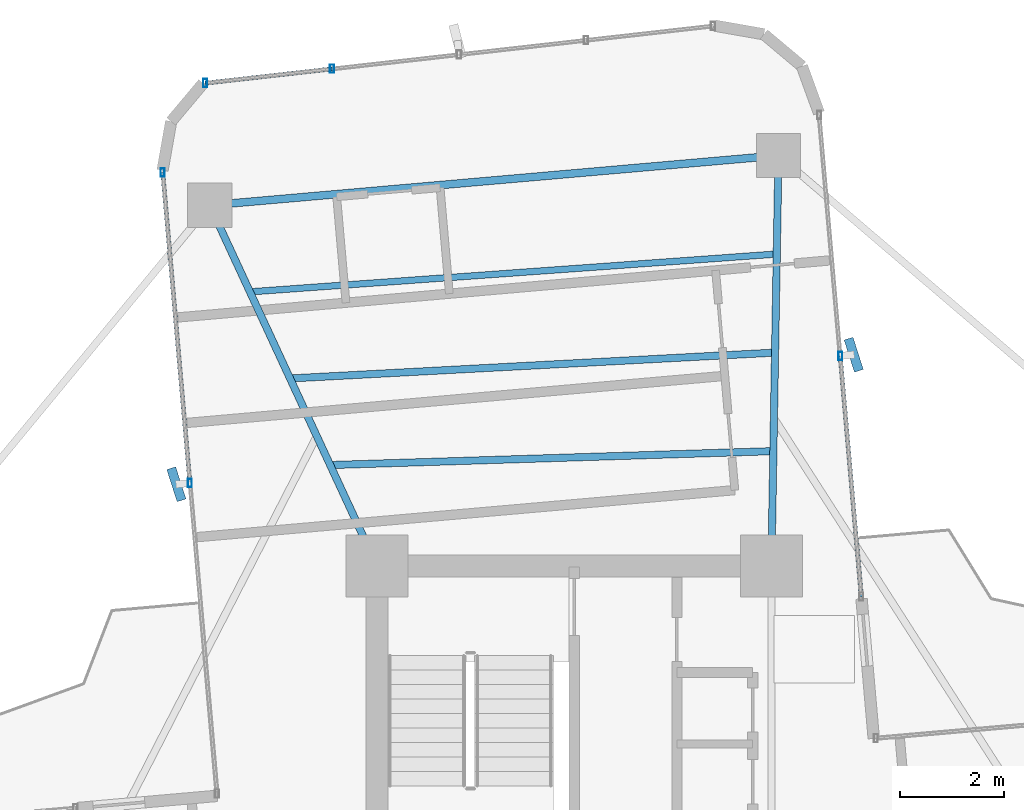
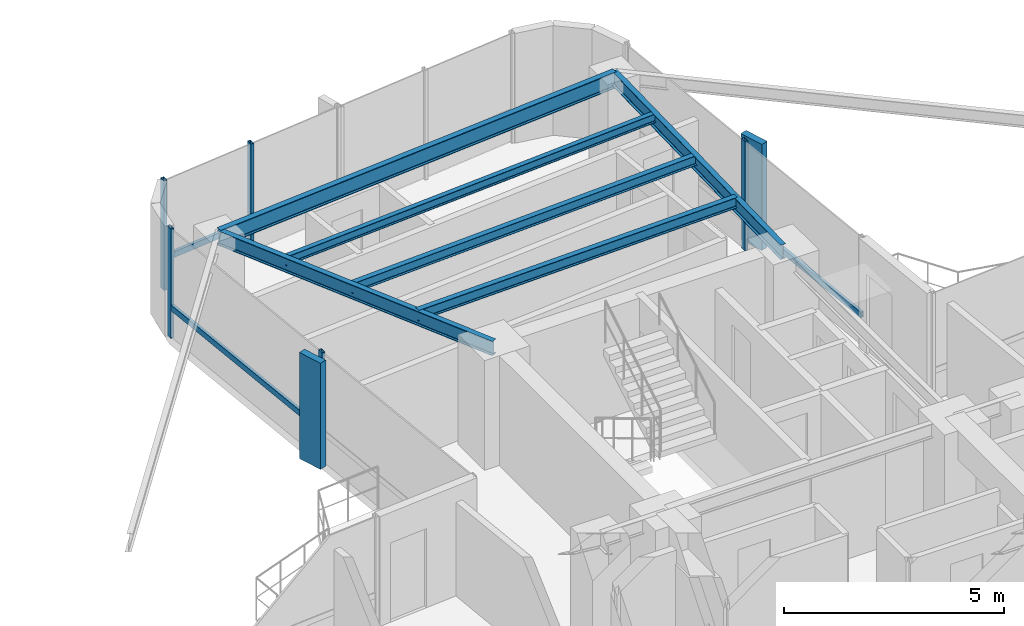
# One storey, part 16 of 24: 10 members, 6 beams, 3 elements without a shape of their own.
"""IFC4 building model written with IfcOpenShell, lengths in metres."""

from ifc_helpers import new_model, si_unit, direction, frame, origin, origin_2d, place, context, subcontext, project, spatial, rectangle, hollow_rectangle, i_section, extrude, source, transform, mapped, material, material_profile, profile_set, type_object, element, aggregate, save


model = new_model("IFC4")

# Units and contexts
model_context = context("Model", 3, precision=1e-05, world=origin(), true_north=direction((0.0, 1.0)))
body_context = subcontext(model_context, "Body", "Model", "MODEL_VIEW")
ifc_project = project(units=[si_unit("LENGTHUNIT", "METRE"), si_unit("AREAUNIT", "SQUARE_METRE"), si_unit("VOLUMEUNIT", "CUBIC_METRE"), si_unit("PLANEANGLEUNIT", "RADIAN"), si_unit("MASSUNIT", "GRAM", prefix="KILO")], contexts=[model_context])

# Site, building, storey
site_placement = place(None, origin())
site = spatial("IfcSite", under=ifc_project, at=site_placement, CompositionType="ELEMENT")
building_placement = place(site_placement, origin())
building = spatial("IfcBuilding", under=site, at=building_placement, Name="Sahyath Konkavel Grand Hotel", CompositionType="ELEMENT")
storey_placement = place(building_placement, frame((0.0, 0.0, 167.35009765625)))
storey = spatial("IfcBuildingStorey", under=building, at=storey_placement, Name="L46", CompositionType="ELEMENT", Elevation=167.35009765625)

# Beams
ifc_material_1 = material(Name="Steel E350", Category="steel")
ifc_material_profile_1 = material_profile(ifc_material_1, i_section(OverallWidth=0.139892578125, OverallDepth=0.39990234375, WebThickness=0.0087890625, FlangeThickness=0.01611328125, FilletRadius=0.013916015625, at=origin_2d()), Name="ISMB 400")
ifc_profile_set_1 = profile_set([ifc_material_profile_1], Name="Steel E350")
beam_type_1 = type_object("IfcBeamType", Name="BM-ISMB400", PredefinedType="BEAM", material=ifc_profile_set_1)
shared_shape_1 = source(origin(), body_context, "Body", "SweptSolid", [
    extrude(i_section(OverallWidth=0.139892578125, OverallDepth=0.39990234375, WebThickness=0.0087890625, FlangeThickness=0.01611328125, FilletRadius=0.013916015625, at=origin_2d()), origin(), (0.0, 0.0, 1.0), 7.913330078125),
])
beam_1_placement = place(storey_placement, frame((3.800048828125, 10.199951171875, 2.849853515625), z_axis=(0.017215419232, 0.999851803689, 0.0), x_axis=(-0.999851803689, 0.017215419232, 0.0)))
element("IfcBeam", 1, at=beam_1_placement, inside=storey, type_object=beam_type_1, Name="L46 Cruciform Radial Girder NA", PredefinedType="BEAM", context=body_context, shape_type="MappedRepresentation", body=[
    mapped(shared_shape_1, transform((0.0, 0.0, 0.0), scale=1.0)),
])
shared_shape_2 = source(origin(), body_context, "Body", "SweptSolid", [
    extrude(i_section(OverallWidth=0.139892578125, OverallDepth=0.39990234375, WebThickness=0.0087890625, FlangeThickness=0.01611328125, FilletRadius=0.013916015625, at=origin_2d()), origin(), (0.0, 0.0, 1.0), 7.66357421875),
])
beam_2_placement = place(storey_placement, frame((-3.800048828125, 10.199951171875, 2.849853515625), z_axis=(-0.420395127561, 0.907341135804, 0.0), x_axis=(-0.907341135804, -0.420395127561, 0.0)))
element("IfcBeam", 2, at=beam_2_placement, inside=storey, type_object=beam_type_1, Name="L46 Cruciform Radial Girder NB", PredefinedType="BEAM", context=body_context, shape_type="MappedRepresentation", body=[
    mapped(shared_shape_2, transform((0.0, 0.0, 0.0), scale=1.0)),
])
ifc_material_profile_2 = material_profile(ifc_material_1, i_section(OverallWidth=0.14990234375, OverallDepth=0.449951171875, WebThickness=0.009521484375, FlangeThickness=0.017333984375, FilletRadius=0.014892578125, at=origin_2d()), Name="ISMB 450")
ifc_profile_set_2 = profile_set([ifc_material_profile_2], Name="Steel E350")
beam_type_2 = type_object("IfcBeamType", Name="BM-ISMB450", PredefinedType="BEAM", material=ifc_profile_set_2)
shared_shape_3 = source(origin(), body_context, "Body", "SweptSolid", [
    extrude(i_section(OverallWidth=0.14990234375, OverallDepth=0.449951171875, WebThickness=0.009521484375, FlangeThickness=0.017333984375, FilletRadius=0.014892578125, at=origin_2d()), origin(), (0.0, 0.0, 1.0), 10.999755859375),
])
beam_3_placement = place(storey_placement, frame((3.936279296875, 18.112060546875, 2.824951171875), z_axis=(-0.99619439202, -0.087159241098, 0.0), x_axis=(0.087159241098, -0.99619439202, 0.0)))
element("IfcBeam", 3, at=beam_3_placement, inside=storey, type_object=beam_type_2, Name="L46 Wing Tip Edge Beam N", PredefinedType="BEAM", context=body_context, shape_type="MappedRepresentation", body=[
    mapped(shared_shape_3, transform((0.0, 0.0, 0.0), scale=1.0)),
])
ifc_material_profile_3 = material_profile(ifc_material_1, i_section(OverallWidth=0.139892578125, OverallDepth=0.300048828125, WebThickness=0.0078125, FlangeThickness=0.01318359375, FilletRadius=0.013916015625, at=origin_2d()), Name="ISMB 300")
ifc_profile_set_3 = profile_set([ifc_material_profile_3], Name="Steel E350")
beam_type_3 = type_object("IfcBeamType", Name="BM-ISMB300", PredefinedType="BEAM", material=ifc_profile_set_3)
shared_shape_4 = source(origin(), body_context, "Body", "SweptSolid", [
    extrude(i_section(OverallWidth=0.139892578125, OverallDepth=0.300048828125, WebThickness=0.0078125, FlangeThickness=0.01318359375, FilletRadius=0.013916015625, at=origin_2d()), origin(), (0.0, 0.0, 1.0), 8.54443359375),
])
beam_4_placement = place(storey_placement, frame((3.838134765625, 12.415283203125, 2.89990234375), z_axis=(-0.999506849365, -0.031401561632, 0.0), x_axis=(0.031401561632, -0.999506849365, 0.0)))
element("IfcBeam", 4, at=beam_4_placement, inside=storey, type_object=beam_type_3, Name="L46 Secondary Floor Beam N-1", PredefinedType="BEAM", context=body_context, shape_type="MappedRepresentation", body=[
    mapped(shared_shape_4, transform((0.0, 0.0, 0.0), scale=1.0)),
])
ifc_material_profile_4 = material_profile(ifc_material_1, i_section(OverallWidth=0.139892578125, OverallDepth=0.27490234375, WebThickness=0.00634765625, FlangeThickness=0.0087890625, FilletRadius=0.012939453125, at=origin_2d()), Name="ISLB 275")
ifc_profile_set_4 = profile_set([ifc_material_profile_4], Name="Steel E350")
beam_type_4 = type_object("IfcBeamType", Name="BM-ISLB275", PredefinedType="BEAM", material=ifc_profile_set_4)
shared_shape_5 = source(origin(), body_context, "Body", "SweptSolid", [
    extrude(i_section(OverallWidth=0.139892578125, OverallDepth=0.27490234375, WebThickness=0.00634765625, FlangeThickness=0.0087890625, FilletRadius=0.012939453125, at=origin_2d()), origin(), (0.0, 0.0, 1.0), 9.359375),
])
beam_5_placement = place(storey_placement, frame((3.870849609375, 14.314208984375, 2.912353515625), z_axis=(-0.998580397723, -0.053265272769, 0.0), x_axis=(0.053265272769, -0.998580397723, 0.0)))
element("IfcBeam", 5, at=beam_5_placement, inside=storey, type_object=beam_type_4, Name="L46 Secondary Floor Beam N-2", PredefinedType="BEAM", context=body_context, shape_type="MappedRepresentation", body=[
    mapped(shared_shape_5, transform((0.0, 0.0, 0.0), scale=1.0)),
])
ifc_material_profile_5 = material_profile(ifc_material_1, i_section(OverallWidth=0.125, OverallDepth=0.25, WebThickness=0.0068359375, FlangeThickness=0.012451171875, FilletRadius=0.012939453125, at=origin_2d()), Name="ISMB 250")
ifc_profile_set_5 = profile_set([ifc_material_profile_5], Name="Steel E350")
beam_type_5 = type_object("IfcBeamType", Name="BM-ISMB250", PredefinedType="BEAM", material=ifc_profile_set_5)
shared_shape_6 = source(origin(), body_context, "Body", "SweptSolid", [
    extrude(i_section(OverallWidth=0.125, OverallDepth=0.25, WebThickness=0.0068359375, FlangeThickness=0.012451171875, FilletRadius=0.012939453125, at=origin_2d()), origin(), (0.0, 0.0, 1.0), 10.178466796875),
])
beam_6_placement = place(storey_placement, frame((3.90380859375, 16.213134765625, 2.9248046875), z_axis=(-0.997435268886, -0.071574327683, 0.0), x_axis=(0.071574327683, -0.997435268886, 0.0)))
element("IfcBeam", 6, at=beam_6_placement, inside=storey, type_object=beam_type_5, Name="L46 Secondary Floor Beam N-3", PredefinedType="BEAM", context=body_context, shape_type="MappedRepresentation", body=[
    mapped(shared_shape_6, transform((0.0, 0.0, 0.0), scale=1.0)),
])

# Curtain wall, member
ifc_material_2 = material(Name="Anodised Bronze Aluminium & Low-E Glazing", Category="aluminium")
curtain_wall_type = type_object("IfcCurtainWallType", Name="CW-ZONE3", PredefinedType="NOTDEFINED", material=ifc_material_2)
curtain_wall_1_placement = place(storey_placement, origin())
curtain_wall_1 = element("IfcCurtainWall", 7, at=curtain_wall_1_placement, inside=storey, type_object=curtain_wall_type, Name="L46 Unitised Curtain Wall F8", PredefinedType="NOTDEFINED")
ifc_material_3 = material(Name="Anodised Bronze Aluminium", Category="aluminium")
ifc_material_profile_6 = material_profile(ifc_material_3, hollow_rectangle(XDim=0.080078125, YDim=0.159912109375, WallThickness=0.006103515625, at=origin_2d()), Name="RHS 160x80x6")
ifc_profile_set_6 = profile_set([ifc_material_profile_6], Name="Anodised Bronze Aluminium")
member_type_1 = type_object("IfcMemberType", Name="CW-MUL-160", PredefinedType="MULLION", material=ifc_profile_set_6)
shared_shape_7 = source(origin(), body_context, "Body", "SweptSolid", [
    extrude(hollow_rectangle(XDim=0.080078125, YDim=0.159912109375, WallThickness=0.006103515625, at=origin_2d()), origin(), (0.0, 0.0, 1.0), 3.0498046875),
])
member_1_placement = place(storey_placement, frame((5.12744140625, 14.251220703125, 0.0), z_axis=(0.0, 0.0, 1.0), x_axis=(1.0, 0.0, 0.0)))
member_1 = element("IfcMember", 8, at=member_1_placement, type_object=member_type_1, Name="L46 Curtain Wall Mullion F8-1", PredefinedType="MULLION", context=body_context, shape_type="MappedRepresentation", body=[
    mapped(shared_shape_7, transform((0.0, 0.0, 0.0), scale=1.0)),
])

# Curtain wall, members
curtain_wall_2_placement = place(storey_placement, origin())
curtain_wall_2 = element("IfcCurtainWall", 9, at=curtain_wall_2_placement, inside=storey, type_object=curtain_wall_type, Name="L46 Unitised Curtain Wall F12", PredefinedType="NOTDEFINED")
member_2_placement = place(storey_placement, frame((-4.665771484375, 19.783203125, 0.0), z_axis=(0.0, 0.0, 1.0), x_axis=(1.0, 0.0, 0.0)))
member_2 = element("IfcMember", 10, at=member_2_placement, type_object=member_type_1, Name="L46 Curtain Wall Mullion F12-3", PredefinedType="MULLION", context=body_context, shape_type="MappedRepresentation", body=[
    mapped(shared_shape_7, transform((0.0, 0.0, 0.0), scale=1.0)),
])
member_3_placement = place(storey_placement, frame((-7.1123046875, 19.507568359375, 0.0), z_axis=(0.0, 0.0, 1.0), x_axis=(1.0, 0.0, 0.0)))
member_3 = element("IfcMember", 11, at=member_3_placement, type_object=member_type_1, Name="L46 Curtain Wall Mullion F12-4", PredefinedType="MULLION", context=body_context, shape_type="MappedRepresentation", body=[
    mapped(shared_shape_7, transform((0.0, 0.0, 0.0), scale=1.0)),
])

curtain_wall_3_placement = place(storey_placement, origin())
curtain_wall_3 = element("IfcCurtainWall", 12, at=curtain_wall_3_placement, inside=storey, type_object=curtain_wall_type, Name="L46 Unitised Curtain Wall F15", PredefinedType="NOTDEFINED")
member_4_placement = place(storey_placement, frame((-7.930419921875, 17.78662109375, 0.0), z_axis=(0.0, 0.0, 1.0), x_axis=(1.0, 0.0, 0.0)))
member_4 = element("IfcMember", 13, at=member_4_placement, type_object=member_type_1, Name="L46 Curtain Wall Mullion F15-0", PredefinedType="MULLION", context=body_context, shape_type="MappedRepresentation", body=[
    mapped(shared_shape_7, transform((0.0, 0.0, 0.0), scale=1.0)),
])
member_5_placement = place(storey_placement, frame((-7.406494140625, 11.79931640625, 0.0), z_axis=(0.0, 0.0, 1.0), x_axis=(1.0, 0.0, 0.0)))
member_5 = element("IfcMember", 14, at=member_5_placement, type_object=member_type_1, Name="L46 Curtain Wall Mullion F15-1", PredefinedType="MULLION", context=body_context, shape_type="MappedRepresentation", body=[
    mapped(shared_shape_7, transform((0.0, 0.0, 0.0), scale=1.0)),
])

# Member
ifc_material_4 = material(Name="Warm Buff Sandstone Cladding on Concrete C50/60", Category="masonry")
ifc_material_profile_7 = material_profile(ifc_material_4, rectangle(XDim=0.179931640625, YDim=0.64990234375, at=origin_2d()), Name="FIN 180x650")
ifc_profile_set_7 = profile_set([ifc_material_profile_7], Name="Warm Buff Sandstone Cladding on Concrete C50/60")
member_type_2 = type_object("IfcMemberType", Name="FIN-SANDSTONE-650", PredefinedType="MULLION", material=ifc_profile_set_7)
shared_shape_8 = source(origin(), body_context, "Body", "SweptSolid", [
    extrude(rectangle(XDim=0.179931640625, YDim=0.64990234375, at=origin_2d()), origin(), (0.0, 0.0, 1.0), 2.9501953125),
])
member_6_placement = place(storey_placement, frame((5.386474609375, 14.273681640625, 0.0498046875), z_axis=(0.0, 0.0, 1.0), x_axis=(0.952022626946, 0.306027642189, 0.0)))
member_6 = element("IfcMember", 15, at=member_6_placement, type_object=member_type_2, Name="L46 Sandstone Vertical Solar Fin FIN F8-1", PredefinedType="MULLION", context=body_context, shape_type="MappedRepresentation", body=[
    mapped(shared_shape_8, transform((0.0, 0.0, 0.0), scale=1.0)),
])

member_7_placement = place(storey_placement, frame((-7.66552734375, 11.776611328125, 0.0498046875), z_axis=(0.0, 0.0, 1.0), x_axis=(0.952022626946, 0.306027642189, 0.0)))
member_7 = element("IfcMember", 16, at=member_7_placement, type_object=member_type_2, Name="L46 Sandstone Vertical Solar Fin FIN F15-1", PredefinedType="MULLION", context=body_context, shape_type="MappedRepresentation", body=[
    mapped(shared_shape_8, transform((0.0, 0.0, 0.0), scale=1.0)),
])

ifc_material_profile_8 = material_profile(ifc_material_3, hollow_rectangle(XDim=0.080078125, YDim=0.159912109375, WallThickness=0.006103515625, at=origin_2d()), Name="RHS 160x80x6")
ifc_profile_set_8 = profile_set([ifc_material_profile_8], Name="Anodised Bronze Aluminium")
member_type_3 = type_object("IfcMemberType", Name="CW-TRN-160", PredefinedType="USERDEFINED", material=ifc_profile_set_8)
shared_shape_9 = source(origin(), body_context, "Body", "SweptSolid", [
    extrude(hollow_rectangle(XDim=0.080078125, YDim=0.159912109375, WallThickness=0.006103515625, at=origin_2d()), origin(), (0.0, 0.0, 1.0), 4.66015625),
])
member_8_placement = place(storey_placement, frame((5.53369140625, 9.60888671875, 0.849853515625), z_axis=(-0.087176698736, 0.996192864458, 0.0), x_axis=(-0.996192864458, -0.087176698736, 0.0)))
member_8 = element("IfcMember", 17, at=member_8_placement, type_object=member_type_3, Name="L46 Curtain Wall Transom F8-0-spandrel", ObjectType="TRANSOM", PredefinedType="USERDEFINED", context=body_context, shape_type="MappedRepresentation", body=[
    mapped(shared_shape_9, transform((0.0, 0.0, 0.0), scale=1.0)),
])

aggregate(curtain_wall_1, [member_1, member_6, member_8])

shared_shape_10 = source(origin(), body_context, "Body", "SweptSolid", [
    extrude(hollow_rectangle(XDim=0.080078125, YDim=0.159912109375, WallThickness=0.006103515625, at=origin_2d()), origin(), (0.0, 0.0, 1.0), 2.4619140625),
])
member_9_placement = place(storey_placement, frame((-4.665771484375, 19.783203125, 0.849853515625), z_axis=(-0.993713263833, -0.111955121731, 0.0), x_axis=(0.111955121731, -0.993713263833, 0.0)))
member_9 = element("IfcMember", 18, at=member_9_placement, type_object=member_type_3, Name="L46 Curtain Wall Transom F12-3-spandrel", ObjectType="TRANSOM", PredefinedType="USERDEFINED", context=body_context, shape_type="MappedRepresentation", body=[
    mapped(shared_shape_10, transform((0.0, 0.0, 0.0), scale=1.0)),
])

aggregate(curtain_wall_2, [member_2, member_3, member_9])

shared_shape_11 = source(origin(), body_context, "Body", "SweptSolid", [
    extrude(hollow_rectangle(XDim=0.080078125, YDim=0.159912109375, WallThickness=0.006103515625, at=origin_2d()), origin(), (0.0, 0.0, 1.0), 6.01025390625),
])
member_10_placement = place(storey_placement, frame((-7.930419921875, 17.78662109375, 0.849853515625), z_axis=(0.087172997156, -0.996193188376, 0.0), x_axis=(0.996193188376, 0.087172997156, 0.0)))
member_10 = element("IfcMember", 19, at=member_10_placement, type_object=member_type_3, Name="L46 Curtain Wall Transom F15-0-spandrel", ObjectType="TRANSOM", PredefinedType="USERDEFINED", context=body_context, shape_type="MappedRepresentation", body=[
    mapped(shared_shape_11, transform((0.0, 0.0, 0.0), scale=1.0)),
])

aggregate(curtain_wall_3, [member_4, member_5, member_7, member_10])

save(model, "model.ifc")
